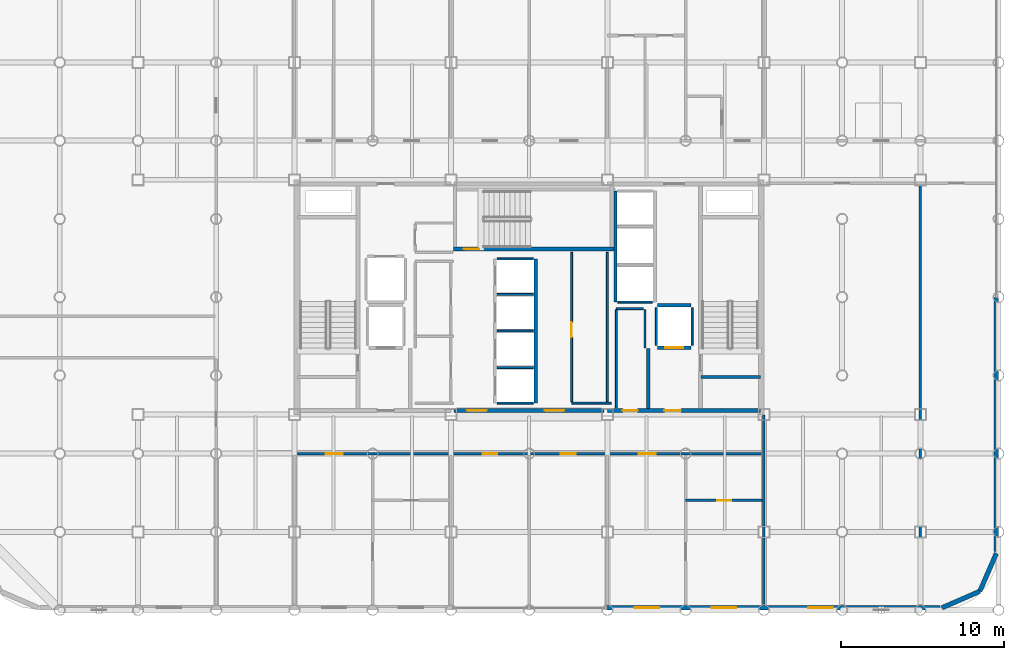
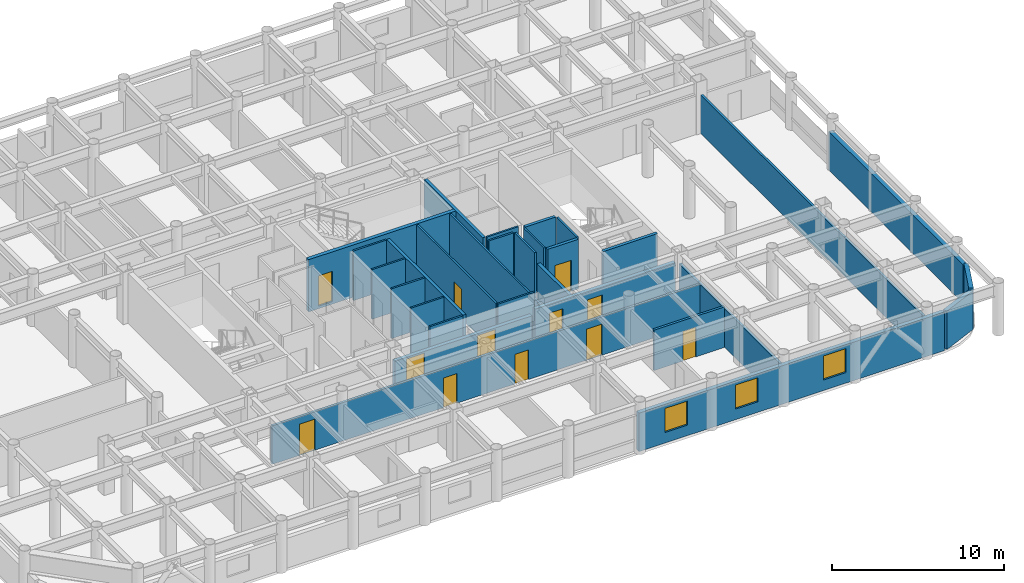
# One storey, part 17 of 21: 31 walls, 12 doors, 3 windows, 15 openings.
"""IFC4 building model written with IfcOpenShell, lengths in metres."""

import ifcopenshell
import ifcopenshell.guid

model = None  # the IFC model being written
_history = None  # IfcOwnerHistory: only IFC2X3 demands one
_inside = {}  # id of a spatial element -> (the spatial element, [elements in it])
_under = {}  # id of a project, library or spatial element -> (it, [spatial elements below it])
_declared = {}  # id of a project -> (the project, [libraries it declares])
_typed = {}  # id of a type object -> (the type object, [elements of that type])
_made_of = {}  # id of a material, layer set ... -> (it, [elements and type objects made of it])


def new_model(schema):
    """Start an empty IFC model of exactly this schema.

    Asked for "IFC4X3", IfcOpenShell would pick the latest addendum, in which some entities
    have other attributes; the version numbers below select the first issue.
    IFC2X3 requires an IfcOwnerHistory on every rooted entity: one is made here for all.
    """
    global model, _history
    if schema == "IFC4X3":
        model = ifcopenshell.file(schema_version=(4, 3, 0, 0))
    else:
        model = ifcopenshell.file(schema=schema)
    _inside.clear()
    _under.clear()
    _declared.clear()
    _typed.clear()
    _made_of.clear()
    _history = None
    if model.schema == "IFC2X3":
        org = make("IfcOrganization", Name="unknown")
        user = make(
            "IfcPersonAndOrganization",
            ThePerson=make("IfcPerson", FamilyName="unknown"),
            TheOrganization=org,
        )
        app = make(
            "IfcApplication",
            ApplicationDeveloper=org,
            Version="unknown",
            ApplicationFullName="unknown",
            ApplicationIdentifier="unknown",
        )
        _history = make(
            "IfcOwnerHistory",
            OwningUser=user,
            OwningApplication=app,
            ChangeAction="ADDED",
            CreationDate=0,
        )
    return model


def make(cls, **values):
    """One entity of the class cls with the attributes given. An attribute that is None is left unset."""
    return model.create_entity(
        cls, **{name: value for name, value in values.items() if value is not None}
    )


def rooted(cls, **values):
    """An entity with a GlobalId (a new one), such as an element, a storey or a relation."""
    return make(cls, GlobalId=ifcopenshell.guid.new(), OwnerHistory=_history, **values)


def si_unit(unit_type, name, prefix=None):
    """IfcSIUnit, for example si_unit("LENGTHUNIT", "METRE", prefix="MILLI")."""
    return make("IfcSIUnit", UnitType=unit_type, Prefix=prefix, Name=name)


def assignment(units):
    """IfcUnitAssignment: the units of a project."""
    return None if units is None else make("IfcUnitAssignment", Units=units)


def point(xyz):
    """IfcCartesianPoint."""
    return None if xyz is None else make("IfcCartesianPoint", Coordinates=xyz)


def direction(xyz):
    """IfcDirection."""
    return None if xyz is None else make("IfcDirection", DirectionRatios=xyz)


def frame(location, z_axis=None, x_axis=None):
    """IfcAxis2Placement3D, a coordinate frame: its origin and axes. An axis left out is left unset."""
    return make(
        "IfcAxis2Placement3D",
        Location=point(location),
        Axis=direction(z_axis),
        RefDirection=direction(x_axis),
    )


def frame_2d(location, x_axis=None):
    """IfcAxis2Placement2D, a coordinate frame in the plane: its origin and x axis."""
    return make(
        "IfcAxis2Placement2D", Location=point(location), RefDirection=direction(x_axis)
    )


def origin():
    """The frame at (0, 0, 0) with its axes left unset."""
    return frame((0.0, 0.0, 0.0))


def place(relative_to, where):
    """IfcLocalPlacement: puts the frame where relative to a parent placement (None: the world)."""
    return make(
        "IfcLocalPlacement", PlacementRelTo=relative_to, RelativePlacement=where
    )


def context(
    kind, dimensions, precision=None, world=None, true_north=None, identifier=None
):
    """IfcGeometricRepresentationContext, for example the 3D "Model" context."""
    return make(
        "IfcGeometricRepresentationContext",
        ContextIdentifier=identifier,
        ContextType=kind,
        CoordinateSpaceDimension=dimensions,
        Precision=precision,
        WorldCoordinateSystem=world,
        TrueNorth=true_north,
    )


def subcontext(parent, identifier, kind, view, scale=None):
    """IfcGeometricRepresentationSubContext, for example "Body" below "Model"."""
    return make(
        "IfcGeometricRepresentationSubContext",
        ContextIdentifier=identifier,
        ContextType=kind,
        ParentContext=parent,
        TargetScale=scale,
        TargetView=view,
    )


def project(units=None, contexts=None):
    """IfcProject with its units and contexts."""
    return rooted(
        "IfcProject",
        Name="project",
        RepresentationContexts=contexts,
        UnitsInContext=assignment(units),
    )


def spatial(cls, under=None, at=None, **own):
    """A site, building, storey or space (cls), placed at a placement, below another one or the project."""
    s = rooted(cls, ObjectPlacement=at, **own)
    if under is not None:
        _under.setdefault(under.id(), (under, []))[1].append(s)
    return s


def profile(cls, at=None, kind="AREA", **sizes):
    """A parametric profile (cls). Its sizes go by their IFC names, for example OverallWidth=200.0."""
    return make(cls, ProfileType=kind, Position=at, **sizes)


def rectangle(**sizes):
    """IfcRectangleProfileDef."""
    return profile("IfcRectangleProfileDef", **sizes)


def extrude(swept, where, along, depth):
    """IfcExtrudedAreaSolid: the profile swept, set in the frame where, extruded along a direction by depth."""
    return make(
        "IfcExtrudedAreaSolid",
        SweptArea=swept,
        Position=where,
        ExtrudedDirection=direction(along),
        Depth=depth,
    )


def shape(context_of_items, identifier, shape_type, items):
    """IfcShapeRepresentation: the items that make up one representation, for example the "Body"."""
    return make(
        "IfcShapeRepresentation",
        ContextOfItems=context_of_items,
        RepresentationIdentifier=identifier,
        RepresentationType=shape_type,
        Items=items,
    )


def material(Name=None, Category=None):
    """IfcMaterial."""
    return make("IfcMaterial", Name=Name, Category=Category)


def layer(
    of_material, thickness, ventilated=None, Name=None, Category=None, Priority=None
):
    """IfcMaterialLayer: one layer of a wall or slab, of a material (None: an air gap)."""
    return make(
        "IfcMaterialLayer",
        Material=of_material,
        LayerThickness=thickness,
        IsVentilated=ventilated,
        Name=Name,
        Category=Category,
        Priority=Priority,
    )


def layer_set(layers, Name=None):
    """IfcMaterialLayerSet."""
    return make("IfcMaterialLayerSet", MaterialLayers=layers, LayerSetName=Name)


def made_of(thing, what):
    """Note that an element or type object is made of a material, layer set ...; save() writes the relation."""
    if what is not None:
        _made_of.setdefault(what.id(), (what, []))[1].append(thing)
    return thing


def type_object(cls, material=None, **own):
    """A type object (cls), such as IfcWallType, which elements share."""
    return made_of(rooted(cls, **own), material)


def element(
    cls,
    number,
    at=None,
    inside=None,
    cuts=None,
    type_object=None,
    material=None,
    context=None,
    identifier="Body",
    shape_type=None,
    held_by="IfcProductDefinitionShape",
    body=None,
    shapes=None,
    **own,
):
    """One element of the class cls, such as IfcWall. Its Tag is "e" and its number.

    at: its placement. inside: the storey or other place that contains it. cuts: it is an
    opening in that element (IfcRelVoidsElement). A single representation is given by context,
    identifier, shape_type and body (its items); several are given by shapes. held_by: the class
    of the entity that holds the representations. save() writes the other relations.
    """
    e = rooted(cls, Tag="e%d" % number, ObjectPlacement=at, **own)
    if body is not None:
        shapes = [shape(context, identifier, shape_type, body)]
    if shapes is not None:
        e.Representation = make(held_by, Representations=shapes)
    if inside is not None:
        _inside.setdefault(inside.id(), (inside, []))[1].append(e)
    if cuts is not None:
        rooted(
            "IfcRelVoidsElement", RelatingBuildingElement=cuts, RelatedOpeningElement=e
        )
    if type_object is not None:
        _typed.setdefault(type_object.id(), (type_object, []))[1].append(e)
    return made_of(e, material)


def fill(opening, filler):
    """IfcRelFillsElement: the door or window that sits in an opening."""
    return rooted(
        "IfcRelFillsElement",
        RelatingOpeningElement=opening,
        RelatedBuildingElement=filler,
    )


def aggregate(whole, parts):
    """IfcRelAggregates: a whole, such as a stair, and the parts it consists of."""
    return rooted("IfcRelAggregates", RelatingObject=whole, RelatedObjects=parts)


def save(model, path):
    """Write the relations noted so far, then the file.

    IfcRelAggregates (storeys below a building ...), IfcRelContainedInSpatialStructure (elements
    in a storey), IfcRelDefinesByType, IfcRelAssociatesMaterial and IfcRelDeclares: one each for
    every whole, place, type object, material and project.
    """
    for whole, parts in _under.values():
        aggregate(whole, parts)
    for where, things in _inside.values():
        rooted(
            "IfcRelContainedInSpatialStructure",
            RelatedElements=things,
            RelatingStructure=where,
        )
    for kind, things in _typed.values():
        rooted("IfcRelDefinesByType", RelatedObjects=things, RelatingType=kind)
    for what, things in _made_of.values():
        rooted("IfcRelAssociatesMaterial", RelatedObjects=things, RelatingMaterial=what)
    for by, libraries in _declared.values():
        rooted("IfcRelDeclares", RelatingContext=by, RelatedDefinitions=libraries)
    model.write(path)


model = new_model("IFC4")

# Units and contexts
model_context = context("Model", 3, precision=1e-05, world=origin(), true_north=direction((0.0, 1.0)))
body_context = subcontext(model_context, "Body", "Model", "MODEL_VIEW")
ifc_project = project(units=[si_unit("LENGTHUNIT", "METRE"), si_unit("AREAUNIT", "SQUARE_METRE"), si_unit("VOLUMEUNIT", "CUBIC_METRE"), si_unit("PLANEANGLEUNIT", "RADIAN"), si_unit("MASSUNIT", "GRAM", prefix="KILO")], contexts=[model_context])

# Site, building, storey
site_placement = place(None, origin())
site = spatial("IfcSite", under=ifc_project, at=site_placement, CompositionType="ELEMENT")
building_placement = place(site_placement, origin())
building = spatial("IfcBuilding", under=site, at=building_placement, Name="Kallvorn Hotel Tower", CompositionType="ELEMENT")
storey_placement = place(building_placement, frame((0.0, 0.0, 139.60009765625)))
storey = spatial("IfcBuildingStorey", under=building, at=storey_placement, Name="L34", CompositionType="ELEMENT", Elevation=139.60009765625)

# Wall, opening, door
ifc_material_1 = material(Name="Fire-rated double-layer acoustic gypsum drywall EI 60")
ifc_layer_1 = layer(ifc_material_1, 0.159912109375)
ifc_layer_set_1 = layer_set([ifc_layer_1], Name="WL_DEMISE_160")
wall_type_1 = type_object("IfcWallType", Name="WL_DEMISE_160", PredefinedType="PARTITIONING", material=ifc_layer_set_1)
wall_1_placement = place(storey_placement, frame((9.60009765625, -12.469970703125, 0.0), z_axis=(0.0, 0.0, 1.0), x_axis=(1.0, 0.0, 0.0)))
wall_1 = element("IfcWall", 1, at=wall_1_placement, inside=storey, type_object=wall_type_1, Name="L34 Suite 3402 Executive Bedroom Partition", PredefinedType="PARTITIONING", context=body_context, shape_type="SweptSolid", body=[
    extrude(rectangle(XDim=4.719970703125, YDim=0.159912109375, at=frame_2d((2.35986328125, 0.0))), origin(), (0.0, 0.0, 1.0), 2.869873046875),
])
opening_1_placement = place(wall_1_placement, frame((1.929931640625, 0.0, 0.0)))
opening_1 = element("IfcOpeningElement", 2, at=opening_1_placement, cuts=wall_1, Name="Opening BD-I", PredefinedType="OPENING", context=body_context, shape_type="SweptSolid", body=[
    extrude(rectangle(XDim=0.860107421875, YDim=2.10009765625, at=frame_2d((0.43017578125, 1.050048828125))), frame((0.0, 0.094970703125, 0.0), z_axis=(0.0, -1.0, 0.0), x_axis=(1.0, 0.0, 0.0)), (0.0, 0.0, 1.0), 0.18994140625),
])
ifc_material_2 = material(Name="Solid-core walnut veneer fire-rated timber door leaf", Category="wood")
door_type_1 = type_object("IfcDoorType", Name="DR_BATH_860x2100", OperationType="NOTDEFINED", PredefinedType="DOOR", material=ifc_material_2)
door_1_placement = place(opening_1_placement, origin())
door_1 = element("IfcDoor", 3, at=door_1_placement, inside=storey, type_object=door_type_1, Name="L34 Suite 3402 En-Suite Bathroom Door", OperationType="SINGLE_SWING_LEFT", OverallHeight=2.10009765625, OverallWidth=0.860107421875, PredefinedType="DOOR", context=body_context, shape_type="SweptSolid", body=[
    extrude(rectangle(XDim=0.860107421875, YDim=2.10009765625, at=frame_2d((0.43017578125, 1.050048828125))), frame((0.0, 0.02490234375, 0.0), z_axis=(0.0, -1.0, 0.0), x_axis=(1.0, 0.0, 0.0)), (0.0, 0.0, 1.0), 0.050048828125),
])
fill(opening_1, door_1)

# Wall, openings, doors
wall_2_placement = place(storey_placement, frame((-14.320068359375, -9.60009765625, 0.0), z_axis=(0.0, 0.0, 1.0), x_axis=(1.0, 0.0, 0.0)))
wall_2 = element("IfcWall", 4, at=wall_2_placement, inside=storey, type_object=wall_type_1, Name="L34 Suite 3401 Executive Living Salon Partition", PredefinedType="PARTITIONING", context=body_context, shape_type="SweptSolid", body=[
    extrude(rectangle(XDim=28.64013671875, YDim=0.159912109375, at=frame_2d((14.320068359375, 0.0))), origin(), (0.0, 0.0, 1.0), 2.719970703125),
])
opening_2_placement = place(wall_2_placement, frame((1.8349609375, 0.0, 0.0)))
opening_2 = element("IfcOpeningElement", 5, at=opening_2_placement, cuts=wall_2, Name="Opening GD2", PredefinedType="OPENING", context=body_context, shape_type="SweptSolid", body=[
    extrude(rectangle(XDim=1.050048828125, YDim=2.199951171875, at=frame_2d((0.52490234375, 1.10009765625))), frame((0.0, 0.094970703125, 0.0), z_axis=(0.0, -1.0, 0.0), x_axis=(1.0, 0.0, 0.0)), (0.0, 0.0, 1.0), 0.18994140625),
])
opening_3_placement = place(wall_2_placement, frame((11.469970703125, 0.0, 0.0)))
opening_3 = element("IfcOpeningElement", 6, at=opening_3_placement, cuts=wall_2, Name="Opening SVD1", PredefinedType="OPENING", context=body_context, shape_type="SweptSolid", body=[
    extrude(rectangle(XDim=0.89990234375, YDim=2.10009765625, at=frame_2d((0.449951171875, 1.050048828125))), frame((0.0, 0.094970703125, 0.0), z_axis=(0.0, -1.0, 0.0), x_axis=(1.0, 0.0, 0.0)), (0.0, 0.0, 1.0), 0.18994140625),
])
opening_4_placement = place(wall_2_placement, frame((16.27001953125, 0.0, 0.0)))
opening_4 = element("IfcOpeningElement", 7, at=opening_4_placement, cuts=wall_2, Name="Opening SVD1", PredefinedType="OPENING", context=body_context, shape_type="SweptSolid", body=[
    extrude(rectangle(XDim=0.89990234375, YDim=2.10009765625, at=frame_2d((0.449951171875, 1.050048828125))), frame((0.0, 0.094970703125, 0.0), z_axis=(0.0, -1.0, 0.0), x_axis=(1.0, 0.0, 0.0)), (0.0, 0.0, 1.0), 0.18994140625),
])
opening_5_placement = place(wall_2_placement, frame((21.034912109375, 0.0, 0.0)))
opening_5 = element("IfcOpeningElement", 8, at=opening_5_placement, cuts=wall_2, Name="Opening GD2", PredefinedType="OPENING", context=body_context, shape_type="SweptSolid", body=[
    extrude(rectangle(XDim=1.050048828125, YDim=2.199951171875, at=frame_2d((0.52490234375, 1.10009765625))), frame((0.0, 0.094970703125, 0.0), z_axis=(0.0, -1.0, 0.0), x_axis=(1.0, 0.0, 0.0)), (0.0, 0.0, 1.0), 0.18994140625),
])
ifc_material_3 = material(Name="Galvanised painted steel fire-rated door assembly", Category="steel")
door_type_2 = type_object("IfcDoorType", Name="DR_SERV_900x2100", OperationType="NOTDEFINED", PredefinedType="DOOR", material=ifc_material_3)
door_2_placement = place(opening_3_placement, origin())
door_2 = element("IfcDoor", 9, at=door_2_placement, inside=storey, type_object=door_type_2, Name="L34 L34 Executive Co-Working Open-Plan Office 2-1 Door", OperationType="SINGLE_SWING_RIGHT", OverallHeight=2.10009765625, OverallWidth=0.89990234375, PredefinedType="DOOR", context=body_context, shape_type="SweptSolid", body=[
    extrude(rectangle(XDim=0.89990234375, YDim=2.10009765625, at=frame_2d((0.449951171875, 1.050048828125))), frame((0.0, 0.02490234375, 0.0), z_axis=(0.0, -1.0, 0.0), x_axis=(1.0, 0.0, 0.0)), (0.0, 0.0, 1.0), 0.050048828125),
])
fill(opening_3, door_2)
door_3_placement = place(opening_4_placement, origin())
door_3 = element("IfcDoor", 10, at=door_3_placement, inside=storey, type_object=door_type_2, Name="L34 L34 Executive Co-Working Open-Plan Office 2-2 Door", OperationType="SINGLE_SWING_LEFT", OverallHeight=2.10009765625, OverallWidth=0.89990234375, PredefinedType="DOOR", context=body_context, shape_type="SweptSolid", body=[
    extrude(rectangle(XDim=0.89990234375, YDim=2.10009765625, at=frame_2d((0.449951171875, 1.050048828125))), frame((0.0, 0.02490234375, 0.0), z_axis=(0.0, -1.0, 0.0), x_axis=(1.0, 0.0, 0.0)), (0.0, 0.0, 1.0), 0.050048828125),
])
fill(opening_4, door_3)
ifc_material_4 = material(Name="Solid-core walnut veneer fire-rated timber door leaf", Category="wood")
door_type_3 = type_object("IfcDoorType", Name="DR_SUITE_1050x2200", OperationType="NOTDEFINED", PredefinedType="DOOR", material=ifc_material_4)
door_4_placement = place(opening_2_placement, origin())
door_4 = element("IfcDoor", 11, at=door_4_placement, inside=storey, type_object=door_type_3, Name="L34 Suite 3401 Executive Living Salon Door", OperationType="SINGLE_SWING_LEFT", OverallHeight=2.199951171875, OverallWidth=1.050048828125, PredefinedType="DOOR", context=body_context, shape_type="SweptSolid", body=[
    extrude(rectangle(XDim=1.050048828125, YDim=2.199951171875, at=frame_2d((0.52490234375, 1.10009765625))), frame((0.0, 0.02490234375, 0.0), z_axis=(0.0, -1.0, 0.0), x_axis=(1.0, 0.0, 0.0)), (0.0, 0.0, 1.0), 0.050048828125),
])
fill(opening_2, door_4)
door_5_placement = place(opening_5_placement, origin())
door_5 = element("IfcDoor", 12, at=door_5_placement, inside=storey, type_object=door_type_3, Name="L34 Suite 3402 Executive Living Salon Door", OperationType="SINGLE_SWING_RIGHT", OverallHeight=2.199951171875, OverallWidth=1.050048828125, PredefinedType="DOOR", context=body_context, shape_type="SweptSolid", body=[
    extrude(rectangle(XDim=1.050048828125, YDim=2.199951171875, at=frame_2d((0.52490234375, 1.10009765625))), frame((0.0, 0.02490234375, 0.0), z_axis=(0.0, -1.0, 0.0), x_axis=(1.0, 0.0, 0.0)), (0.0, 0.0, 1.0), 0.050048828125),
])
fill(opening_5, door_5)

# Walls
wall_3_placement = place(storey_placement, frame((14.39990234375, -18.909912109375, 0.0), z_axis=(0.0, 0.0, 1.0), x_axis=(0.0, 1.0, 0.0)))
element("IfcWall", 13, at=wall_3_placement, inside=storey, type_object=wall_type_1, Name="L34 Suite 3402 Executive Bedroom Partition", PredefinedType="PARTITIONING", context=body_context, shape_type="SweptSolid", body=[
    extrude(rectangle(XDim=11.669921875, YDim=0.159912109375, at=frame_2d((5.8349609375, 0.0))), origin(), (0.0, 0.0, 1.0), 2.719970703125),
])
ifc_material_5 = material(Name="Precast basalt-clad insulated concrete wall C40/50", Category="masonry")
ifc_layer_2 = layer(ifc_material_5, 0.280029296875)
ifc_layer_set_2 = layer_set([ifc_layer_2], Name="WL_EXT_LOGGIA_280")
wall_type_2 = type_object("IfcWallType", Name="WL_EXT_LOGGIA_280", PredefinedType="SOLIDWALL", material=ifc_layer_set_2)
wall_4_placement = place(storey_placement, frame((25.32080078125, -19.057861328125, 0.0), z_axis=(0.0, 0.0, 1.0), x_axis=(0.917060872934, 0.398747232384, 0.0)))
element("IfcWall", 14, at=wall_4_placement, inside=storey, type_object=wall_type_2, Name="L34 Rounded Corner Exterior Wall SE1", PredefinedType="SOLIDWALL", context=body_context, shape_type="SweptSolid", body=[
    extrude(rectangle(XDim=2.5361328125, YDim=0.280029296875, at=frame_2d((1.26806640625, 0.0))), origin(), (0.0, 0.0, 1.0), 2.719970703125),
])
wall_5_placement = place(storey_placement, frame((27.646484375, -18.046630859375, 0.0), z_axis=(0.0, 0.0, 1.0), x_axis=(0.398792985289, 0.917040977756, 0.0)))
element("IfcWall", 15, at=wall_5_placement, inside=storey, type_object=wall_type_2, Name="L34 Rounded Corner Exterior Wall SE2", PredefinedType="SOLIDWALL", context=body_context, shape_type="SweptSolid", body=[
    extrude(rectangle(XDim=2.536376953125, YDim=0.280029296875, at=frame_2d((1.26806640625, 0.0))), origin(), (0.0, 0.0, 1.0), 2.869873046875),
])

# Wall, openings, windows
wall_6_placement = place(storey_placement, frame((4.75, -19.06005859375, 0.0), z_axis=(0.0, 0.0, 1.0), x_axis=(1.0, 0.0, 0.0)))
wall_6 = element("IfcWall", 16, at=wall_6_placement, inside=storey, type_object=wall_type_2, Name="L34 Exterior Envelope Wall EW-L34-SE", PredefinedType="SOLIDWALL", context=body_context, shape_type="SweptSolid", body=[
    extrude(rectangle(XDim=20.449951171875, YDim=0.280029296875, at=frame_2d((10.22509765625, 0.0))), origin(), (0.0, 0.0, 1.0), 2.719970703125),
])
opening_6_placement = place(wall_6_placement, frame((12.360107421875, 0.0, 0.75)))
opening_6 = element("IfcOpeningElement", 17, at=opening_6_placement, cuts=wall_6, Name="Opening W05", PredefinedType="OPENING", context=body_context, shape_type="SweptSolid", body=[
    extrude(rectangle(XDim=1.5, YDim=1.699951171875, at=frame_2d((0.75, 0.85009765625))), frame((0.0, 0.155029296875, 0.0), z_axis=(0.0, -1.0, 0.0), x_axis=(1.0, 0.0, 0.0)), (0.0, 0.0, 1.0), 0.31005859375),
])
opening_7_placement = place(wall_6_placement, frame((1.739990234375, 0.0, 0.75)))
opening_7 = element("IfcOpeningElement", 18, at=opening_7_placement, cuts=wall_6, Name="Opening W05", PredefinedType="OPENING", context=body_context, shape_type="SweptSolid", body=[
    extrude(rectangle(XDim=1.5, YDim=1.699951171875, at=frame_2d((0.75, 0.85009765625))), frame((0.0, 0.155029296875, 0.0), z_axis=(0.0, -1.0, 0.0), x_axis=(1.0, 0.0, 0.0)), (0.0, 0.0, 1.0), 0.31005859375),
])
opening_8_placement = place(wall_6_placement, frame((6.4599609375, 0.0, 0.75)))
opening_8 = element("IfcOpeningElement", 19, at=opening_8_placement, cuts=wall_6, Name="Opening W05", PredefinedType="OPENING", context=body_context, shape_type="SweptSolid", body=[
    extrude(rectangle(XDim=1.5, YDim=1.699951171875, at=frame_2d((0.75, 0.85009765625))), frame((0.0, 0.155029296875, 0.0), z_axis=(0.0, -1.0, 0.0), x_axis=(1.0, 0.0, 0.0)), (0.0, 0.0, 1.0), 0.31005859375),
])
ifc_material_6 = material(Name="Double-glazed low-e solar-control dark glass", Category="glass")
window_type = type_object("IfcWindowType", Name="WN_HTL_1500x1700", PartitioningType="SINGLE_PANEL", PredefinedType="WINDOW", material=ifc_material_6)
window_1_placement = place(opening_6_placement, origin())
window_1 = element("IfcWindow", 20, at=window_1_placement, inside=storey, type_object=window_type, Name="L34 Guestroom Exterior Window 04", OverallHeight=1.699951171875, OverallWidth=1.5, PartitioningType="SINGLE_PANEL", PredefinedType="WINDOW", context=body_context, shape_type="SweptSolid", body=[
    extrude(rectangle(XDim=1.5, YDim=1.699951171875, at=frame_2d((0.75, 0.85009765625))), frame((0.0, 0.030029296875, 0.0), z_axis=(0.0, -1.0, 0.0), x_axis=(1.0, 0.0, 0.0)), (0.0, 0.0, 1.0), 0.06005859375),
])
fill(opening_6, window_1)
window_2_placement = place(opening_7_placement, origin())
window_2 = element("IfcWindow", 21, at=window_2_placement, inside=storey, type_object=window_type, Name="L34 Guestroom Exterior Window 07", OverallHeight=1.699951171875, OverallWidth=1.5, PartitioningType="SINGLE_PANEL", PredefinedType="WINDOW", context=body_context, shape_type="SweptSolid", body=[
    extrude(rectangle(XDim=1.5, YDim=1.699951171875, at=frame_2d((0.75, 0.85009765625))), frame((0.0, 0.030029296875, 0.0), z_axis=(0.0, -1.0, 0.0), x_axis=(1.0, 0.0, 0.0)), (0.0, 0.0, 1.0), 0.06005859375),
])
fill(opening_7, window_2)
window_3_placement = place(opening_8_placement, origin())
window_3 = element("IfcWindow", 22, at=window_3_placement, inside=storey, type_object=window_type, Name="L34 Guestroom Exterior Window 08", OverallHeight=1.699951171875, OverallWidth=1.5, PartitioningType="SINGLE_PANEL", PredefinedType="WINDOW", context=body_context, shape_type="SweptSolid", body=[
    extrude(rectangle(XDim=1.5, YDim=1.699951171875, at=frame_2d((0.75, 0.85009765625))), frame((0.0, 0.030029296875, 0.0), z_axis=(0.0, -1.0, 0.0), x_axis=(1.0, 0.0, 0.0)), (0.0, 0.0, 1.0), 0.06005859375),
])
fill(opening_8, window_3)

# Walls
wall_7_placement = place(storey_placement, frame((28.659912109375, -15.60009765625, 0.0), z_axis=(0.0, 0.0, 1.0), x_axis=(0.0, 1.0, 0.0)))
element("IfcWall", 23, at=wall_7_placement, inside=storey, type_object=wall_type_2, Name="L34 Exterior Envelope Wall EW-L34-ES", PredefinedType="SOLIDWALL", context=body_context, shape_type="SweptSolid", body=[
    extrude(rectangle(XDim=15.580078125, YDim=0.280029296875, at=frame_2d((7.7900390625, 0.0))), origin(), (0.0, 0.0, 1.0), 2.719970703125),
])
ifc_material_7 = material(Name="Concrete C40/50", Category="concrete")
ifc_layer_3 = layer(ifc_material_7, 0.219970703125)
ifc_layer_set_3 = layer_set([ifc_layer_3], Name="WL_FFL_220")
wall_type_3 = type_object("IfcWallType", Name="WL_FFL_220", PredefinedType="SOLIDWALL", material=ifc_layer_set_3)
wall_8_placement = place(storey_placement, frame((7.300048828125, -6.820068359375, 0.0), z_axis=(0.0, 0.0, 1.0), x_axis=(0.0, 1.0, 0.0)))
element("IfcWall", 24, at=wall_8_placement, inside=storey, type_object=wall_type_3, Name="L34 Firefighting Lobby East Divider Wall", PredefinedType="SOLIDWALL", context=body_context, shape_type="SweptSolid", body=[
    extrude(rectangle(XDim=3.670166015625, YDim=0.219970703125, at=frame_2d((1.8349609375, 0.0))), origin(), (0.0, 0.0, 1.0), 2.719970703125),
])
ifc_material_8 = material(Name="Concrete C40/50", Category="concrete")
ifc_layer_4 = layer(ifc_material_8, 0.199951171875)
ifc_layer_set_4 = layer_set([ifc_layer_4], Name="WL_HOIST_200")
wall_type_4 = type_object("IfcWallType", Name="WL_HOIST_200", PredefinedType="SOLIDWALL", material=ifc_layer_set_4)
wall_9_placement = place(storey_placement, frame((10.550048828125, -4.89990234375, -0.18017578125), z_axis=(0.0, 0.0, 1.0), x_axis=(1.0, 0.0, 0.0)))
element("IfcWall", 25, at=wall_9_placement, inside=storey, type_object=wall_type_4, Name="L34 Stair ST2 South Wall", PredefinedType="SOLIDWALL", context=body_context, shape_type="SweptSolid", body=[
    extrude(rectangle(XDim=3.64990234375, YDim=0.199951171875, at=frame_2d((1.824951171875, 0.0))), origin(), (0.0, 0.0, 1.0), 3.7001953125),
])
wall_10_placement = place(storey_placement, frame((0.39990234375, -6.5, 0.0), z_axis=(0.0, 0.0, 1.0), x_axis=(0.0, 1.0, 0.0)))
element("IfcWall", 26, at=wall_10_placement, inside=storey, type_object=wall_type_4, Name="L34 Lift Bank B2 Rear Shaft Wall", PredefinedType="SOLIDWALL", context=body_context, shape_type="SweptSolid", body=[
    extrude(rectangle(XDim=8.85009765625, YDim=0.199951171875, at=frame_2d((4.425048828125, 0.0))), origin(), (0.0, 0.0, 1.0), 3.52001953125),
])
wall_11_placement = place(storey_placement, frame((5.300048828125, -0.300048828125, 0.0), z_axis=(0.0, 0.0, 1.0), x_axis=(0.0, 1.0, 0.0)))
element("IfcWall", 27, at=wall_11_placement, inside=storey, type_object=wall_type_4, Name="L34 Lift Bank OBS Rear Shaft Wall", PredefinedType="SOLIDWALL", context=body_context, shape_type="SweptSolid", body=[
    extrude(rectangle(XDim=6.800048828125, YDim=0.199951171875, at=frame_2d((3.39990234375, 0.0))), origin(), (0.0, 0.0, 1.0), 3.52001953125),
])

# Wall, opening, door
wall_12_placement = place(storey_placement, frame((7.8798828125, -3.10009765625, 0.0), z_axis=(0.0, 0.0, 1.0), x_axis=(1.0, 0.0, 0.0)))
wall_12 = element("IfcWall", 28, at=wall_12_placement, inside=storey, type_object=wall_type_4, Name="L34 FL-2 Landing Wall", PredefinedType="SOLIDWALL", context=body_context, shape_type="SweptSolid", body=[
    extrude(rectangle(XDim=2.0400390625, YDim=0.199951171875, at=frame_2d((1.02001953125, 0.0))), origin(), (0.0, 0.0, 1.0), 3.52001953125),
])
opening_9_placement = place(wall_12_placement, frame((0.469970703125, 0.0, 0.0)))
opening_9 = element("IfcOpeningElement", 29, at=opening_9_placement, cuts=wall_12, Name="Opening LD-FL-2", PredefinedType="OPENING", context=body_context, shape_type="SweptSolid", body=[
    extrude(rectangle(XDim=1.10009765625, YDim=2.199951171875, at=frame_2d((0.550048828125, 1.10009765625))), frame((0.0, 0.114990234375, 0.0), z_axis=(0.0, -1.0, 0.0), x_axis=(1.0, 0.0, 0.0)), (0.0, 0.0, 1.0), 0.22998046875),
])
ifc_material_9 = material(Name="Brushed stainless-steel automatic sliding lift landing door", Category="steel")
door_type_4 = type_object("IfcDoorType", Name="LD_PASS_1100x2200", OperationType="SLIDING_TO_LEFT", PredefinedType="DOOR", material=ifc_material_9)
door_6_placement = place(opening_9_placement, origin())
door_6 = element("IfcDoor", 30, at=door_6_placement, inside=storey, type_object=door_type_4, Name="L34 Lift Landing Sliding Door LD-FL-2", OperationType="SLIDING_TO_LEFT", OverallHeight=2.199951171875, OverallWidth=1.10009765625, PredefinedType="DOOR", context=body_context, shape_type="SweptSolid", body=[
    extrude(rectangle(XDim=1.10009765625, YDim=2.199951171875, at=frame_2d((0.550048828125, 1.10009765625))), frame((0.0, 0.02490234375, 0.0), z_axis=(0.0, -1.0, 0.0), x_axis=(1.0, 0.0, 0.0)), (0.0, 0.0, 1.0), 0.050048828125),
])
fill(opening_9, door_6)

# Walls
wall_13_placement = place(storey_placement, frame((7.8798828125, -0.5, 0.0), z_axis=(0.0, 0.0, 1.0), x_axis=(1.0, 0.0, 0.0)))
element("IfcWall", 31, at=wall_13_placement, inside=storey, type_object=wall_type_4, Name="L34 FL-2 Rear Shaft Wall", PredefinedType="SOLIDWALL", context=body_context, shape_type="SweptSolid", body=[
    extrude(rectangle(XDim=2.0400390625, YDim=0.199951171875, at=frame_2d((1.02001953125, 0.0))), origin(), (0.0, 0.0, 1.0), 3.52001953125),
])
ifc_material_10 = material(Name="Fire-rated double-layer acoustic gypsum drywall EI 60")
ifc_layer_5 = layer(ifc_material_10, 0.1201171875)
ifc_layer_set_5 = layer_set([ifc_layer_5], Name="WL_INT_120")
wall_type_5 = type_object("IfcWallType", Name="WL_INT_120", PredefinedType="PARTITIONING", material=ifc_layer_set_5)
for number, where, z_axis, x_axis, name in (
    (32, (-1.9599609375, -6.5, 0.0), (0.0, 0.0, 1.0), (1.0, 0.0, 0.0), "L34 Lift Bank B2 South Closure Wall"),
    (33, (-1.9599609375, -4.324951171875, 0.0), (0.0, 0.0, 1.0), (1.0, 0.0, 0.0), "L34 PL-05 Hoistway Divider"),
    (34, (-1.9599609375, -2.074951171875, 0.0), (0.0, 0.0, 1.0), (1.0, 0.0, 0.0), "L34 PL-06 Hoistway Divider"),
    (35, (-1.9599609375, 0.175048828125, 0.0), (0.0, 0.0, 1.0), (1.0, 0.0, 0.0), "L34 PL-07 Hoistway Divider"),
    (36, (-1.9599609375, 2.35009765625, 0.0), (0.0, 0.0, 1.0), (1.0, 0.0, 0.0), "L34 PL-08 Hoistway Divider"),
):
    element("IfcWall", number, at=place(storey_placement, frame(where, z_axis=z_axis, x_axis=x_axis)), inside=storey, type_object=wall_type_5, Name=name, PredefinedType="PARTITIONING", context=body_context, shape_type="SweptSolid", body=[
        extrude(rectangle(XDim=2.219970703125, YDim=0.1201171875, at=frame_2d((1.10986328125, 0.0))), origin(), (0.0, 0.0, 1.0), 3.52001953125),
    ])
wall_14_placement = place(storey_placement, frame((5.43994140625, -0.300048828125, 0.0), z_axis=(0.0, 0.0, 1.0), x_axis=(1.0, 0.0, 0.0)))
element("IfcWall", 37, at=wall_14_placement, inside=storey, type_object=wall_type_5, Name="L34 Lift Bank OBS South Closure Wall", PredefinedType="PARTITIONING", context=body_context, shape_type="SweptSolid", body=[
    extrude(rectangle(XDim=2.1201171875, YDim=0.1201171875, at=frame_2d((1.06005859375, 0.0))), origin(), (0.0, 0.0, 1.0), 3.52001953125),
])
for number, where, z_axis, x_axis, name in (
    (38, (7.800048828125, -2.9599609375, 0.0), (0.0, 0.0, 1.0), (0.0, 1.0, 0.0), "L34 FL-2 West Shaft Wall"),
    (39, (10.0, -2.9599609375, 0.0), (0.0, 0.0, 1.0), (0.0, 1.0, 0.0), "L34 FL-2 East Shaft Wall"),
):
    element("IfcWall", number, at=place(storey_placement, frame(where, z_axis=z_axis, x_axis=x_axis)), inside=storey, type_object=wall_type_5, Name=name, PredefinedType="PARTITIONING", context=body_context, shape_type="SweptSolid", body=[
        extrude(rectangle(XDim=2.320068359375, YDim=0.1201171875, at=frame_2d((1.16015625, 0.0))), origin(), (0.0, 0.0, 1.0), 3.52001953125),
    ])
wall_15_placement = place(storey_placement, frame((2.60009765625, -6.5, 0.0), z_axis=(0.0, 0.0, 1.0), x_axis=(1.0, 0.0, 0.0)))
element("IfcWall", 40, at=wall_15_placement, inside=storey, type_object=wall_type_5, Name="L34 East Core Consolidated Linen and Supply Store Partition", PredefinedType="PARTITIONING", context=body_context, shape_type="SweptSolid", body=[
    extrude(rectangle(XDim=2.449951171875, YDim=0.1201171875, at=frame_2d((1.22509765625, 0.0))), origin(), (0.0, 0.0, 1.0), 3.52001953125),
])
wall_16_placement = place(storey_placement, frame((5.35009765625, -0.699951171875, 0.0), z_axis=(0.0, 0.0, 1.0), x_axis=(1.0, 0.0, 0.0)))
element("IfcWall", 41, at=wall_16_placement, inside=storey, type_object=wall_type_5, Name="L34 Core Utility and Meter Room Partition", PredefinedType="PARTITIONING", context=body_context, shape_type="SweptSolid", body=[
    extrude(rectangle(XDim=1.64990234375, YDim=0.1201171875, at=frame_2d((0.824951171875, 0.0))), origin(), (0.0, 0.0, 1.0), 3.52001953125),
])

# Wall, opening, door
wall_17_placement = place(storey_placement, frame((2.60009765625, -6.4150390625, 0.0), z_axis=(0.0, 0.0, 1.0), x_axis=(0.0, 1.0, 0.0)))
wall_17 = element("IfcWall", 42, at=wall_17_placement, inside=storey, type_object=wall_type_5, Name="L34 East Core Consolidated Linen and Supply Store Partition", PredefinedType="PARTITIONING", context=body_context, shape_type="SweptSolid", body=[
    extrude(rectangle(XDim=9.1650390625, YDim=0.1201171875, at=frame_2d((4.58251953125, 0.0))), origin(), (0.0, 0.0, 1.0), 3.52001953125),
])
opening_10_placement = place(wall_17_placement, frame((3.965087890625, 0.0, 0.0)))
opening_10 = element("IfcOpeningElement", 43, at=opening_10_placement, cuts=wall_17, Name="Opening SVD1", PredefinedType="OPENING", context=body_context, shape_type="SweptSolid", body=[
    extrude(rectangle(XDim=0.89990234375, YDim=2.10009765625, at=frame_2d((0.449951171875, 1.050048828125))), frame((0.0, 0.074951171875, 0.0), z_axis=(0.0, -1.0, 0.0), x_axis=(1.0, 0.0, 0.0)), (0.0, 0.0, 1.0), 0.150146484375),
])
door_7_placement = place(opening_10_placement, origin())
door_7 = element("IfcDoor", 44, at=door_7_placement, inside=storey, type_object=door_type_2, Name="L34 East Core Consolidated Linen and Supply Store Door", OperationType="SINGLE_SWING_RIGHT", OverallHeight=2.10009765625, OverallWidth=0.89990234375, PredefinedType="DOOR", context=body_context, shape_type="SweptSolid", body=[
    extrude(rectangle(XDim=0.89990234375, YDim=2.10009765625, at=frame_2d((0.449951171875, 1.050048828125))), frame((0.0, 0.02490234375, 0.0), z_axis=(0.0, -1.0, 0.0), x_axis=(1.0, 0.0, 0.0)), (0.0, 0.0, 1.0), 0.050048828125),
])
fill(opening_10, door_7)

# Walls
wall_18_placement = place(storey_placement, frame((4.800048828125, -6.4150390625, 0.0), z_axis=(0.0, 0.0, 1.0), x_axis=(0.0, 1.0, 0.0)))
element("IfcWall", 45, at=wall_18_placement, inside=storey, type_object=wall_type_5, Name="L34 East Core Consolidated Linen and Supply Store Partition", PredefinedType="PARTITIONING", context=body_context, shape_type="SweptSolid", body=[
    extrude(rectangle(XDim=9.1650390625, YDim=0.1201171875, at=frame_2d((4.58251953125, 0.0))), origin(), (0.0, 0.0, 1.0), 3.52001953125),
])
wall_19_placement = place(storey_placement, frame((5.35009765625, -6.800048828125, 0.0), z_axis=(0.0, 0.0, 1.0), x_axis=(0.0, 1.0, 0.0)))
element("IfcWall", 46, at=wall_19_placement, inside=storey, type_object=wall_type_5, Name="L34 Core Utility and Meter Room Partition", PredefinedType="PARTITIONING", context=body_context, shape_type="SweptSolid", body=[
    extrude(rectangle(XDim=6.01513671875, YDim=0.1201171875, at=frame_2d((3.007568359375, 0.0))), origin(), (0.0, 0.0, 1.0), 2.719970703125),
])
wall_20_placement = place(storey_placement, frame((7.106689453125, -3.110107421875, 0.0), z_axis=(0.0, 0.0, 1.0), x_axis=(0.0, 1.0, 0.0)))
element("IfcWall", 47, at=wall_20_placement, inside=storey, type_object=wall_type_5, Name="L34 Core Utility and Meter Room Partition", PredefinedType="PARTITIONING", context=body_context, shape_type="SweptSolid", body=[
    extrude(rectangle(XDim=2.3251953125, YDim=0.1201171875, at=frame_2d((1.16259765625, 0.0))), origin(), (0.0, 0.0, 1.0), 3.52001953125),
])
ifc_material_11 = material(Name="Fire-rated double-layer acoustic gypsum drywall EI 60")
ifc_layer_6 = layer(ifc_material_11, 0.14990234375)
ifc_layer_set_6 = layer_set([ifc_layer_6], Name="WL_PART_150")
wall_type_6 = type_object("IfcWallType", Name="WL_PART_150", PredefinedType="PARTITIONING", material=ifc_layer_set_6)
wall_21_placement = place(storey_placement, frame((24.0, -18.909912109375, 0.0), z_axis=(0.0, 0.0, 1.0), x_axis=(0.0, 1.0, 0.0)))
element("IfcWall", 48, at=wall_21_placement, inside=storey, type_object=wall_type_6, Name="L34 L34 Far-East Design Boutique Partition", PredefinedType="PARTITIONING", context=body_context, shape_type="SweptSolid", body=[
    extrude(rectangle(XDim=25.804931640625, YDim=0.14990234375, at=frame_2d((12.90234375, 0.0))), origin(), (0.0, 0.0, 1.0), 2.719970703125),
])

# Wall, openings, doors
ifc_material_12 = material(Name="Concrete C40/50", Category="concrete")
ifc_layer_7 = layer(ifc_material_12, 0.25)
ifc_layer_set_7 = layer_set([ifc_layer_7], Name="WL_SHAFT_250")
wall_type_7 = type_object("IfcWallType", Name="WL_SHAFT_250", PredefinedType="SOLIDWALL", material=ifc_layer_set_7)
wall_22_placement = place(storey_placement, frame((-4.60009765625, -6.949951171875, 0.0), z_axis=(0.0, 0.0, 1.0), x_axis=(1.0, 0.0, 0.0)))
wall_22 = element("IfcWall", 49, at=wall_22_placement, inside=storey, type_object=wall_type_7, Name="L34 Core South-Central Wall", PredefinedType="SOLIDWALL", context=body_context, shape_type="SweptSolid", body=[
    extrude(rectangle(XDim=9.2001953125, YDim=0.25, at=frame_2d((4.60009765625, 0.0))), origin(), (0.0, 0.0, 1.0), 2.31982421875),
])
opening_11_placement = place(wall_22_placement, frame((0.800048828125, 0.0, 0.0)))
opening_11 = element("IfcOpeningElement", 50, at=opening_11_placement, cuts=wall_22, Name="Opening FD2", PredefinedType="OPENING", context=body_context, shape_type="SweptSolid", body=[
    extrude(rectangle(XDim=1.199951171875, YDim=2.199951171875, at=frame_2d((0.60009765625, 1.10009765625))), frame((0.0, 0.139892578125, 0.0), z_axis=(0.0, -1.0, 0.0), x_axis=(1.0, 0.0, 0.0)), (0.0, 0.0, 1.0), 0.280029296875),
])
opening_12_placement = place(wall_22_placement, frame((5.550048828125, 0.0, 0.0)))
opening_12 = element("IfcOpeningElement", 51, at=opening_12_placement, cuts=wall_22, Name="Opening FD2", PredefinedType="OPENING", context=body_context, shape_type="SweptSolid", body=[
    extrude(rectangle(XDim=1.199951171875, YDim=2.199951171875, at=frame_2d((0.60009765625, 1.10009765625))), frame((0.0, 0.139892578125, 0.0), z_axis=(0.0, -1.0, 0.0), x_axis=(1.0, 0.0, 0.0)), (0.0, 0.0, 1.0), 0.280029296875),
])
ifc_material_13 = material(Name="Galvanised painted steel fire-rated door assembly", Category="steel")
door_type_5 = type_object("IfcDoorType", Name="DR_LOBBY_1200x2200", OperationType="DOUBLE_DOOR_SINGLE_SWING", PredefinedType="DOOR", material=ifc_material_13)
door_8_placement = place(opening_11_placement, origin())
door_8 = element("IfcDoor", 52, at=door_8_placement, inside=storey, type_object=door_type_5, Name="L34 West Passenger Lift Lobby Door", OperationType="DOUBLE_DOOR_SINGLE_SWING", OverallHeight=2.199951171875, OverallWidth=1.199951171875, PredefinedType="DOOR", context=body_context, shape_type="SweptSolid", body=[
    extrude(rectangle(XDim=1.199951171875, YDim=2.199951171875, at=frame_2d((0.60009765625, 1.10009765625))), frame((0.0, 0.02490234375, 0.0), z_axis=(0.0, -1.0, 0.0), x_axis=(1.0, 0.0, 0.0)), (0.0, 0.0, 1.0), 0.050048828125),
])
fill(opening_11, door_8)
door_9_placement = place(opening_12_placement, origin())
door_9 = element("IfcDoor", 53, at=door_9_placement, inside=storey, type_object=door_type_5, Name="L34 East Passenger Lift Lobby Door", OperationType="DOUBLE_DOOR_SINGLE_SWING", OverallHeight=2.199951171875, OverallWidth=1.199951171875, PredefinedType="DOOR", context=body_context, shape_type="SweptSolid", body=[
    extrude(rectangle(XDim=1.199951171875, YDim=2.199951171875, at=frame_2d((0.60009765625, 1.10009765625))), frame((0.0, 0.02490234375, 0.0), z_axis=(0.0, -1.0, 0.0), x_axis=(1.0, 0.0, 0.0)), (0.0, 0.0, 1.0), 0.050048828125),
])
fill(opening_12, door_9)

wall_23_placement = place(storey_placement, frame((4.800048828125, -6.949951171875, 0.0), z_axis=(0.0, 0.0, 1.0), x_axis=(1.0, 0.0, 0.0)))
wall_23 = element("IfcWall", 54, at=wall_23_placement, inside=storey, type_object=wall_type_7, Name="L34 Core South-East Wall", PredefinedType="SOLIDWALL", context=body_context, shape_type="SweptSolid", body=[
    extrude(rectangle(XDim=9.39990234375, YDim=0.25, at=frame_2d((4.699951171875, 0.0))), origin(), (0.0, 0.0, 1.0), 2.719970703125),
])
opening_13_placement = place(wall_23_placement, frame((3.5, 0.0, 0.0)))
opening_13 = element("IfcOpeningElement", 55, at=opening_13_placement, cuts=wall_23, Name="Opening FD1", PredefinedType="OPENING", context=body_context, shape_type="SweptSolid", body=[
    extrude(rectangle(XDim=1.0, YDim=2.14990234375, at=frame_2d((0.5, 1.074951171875))), frame((0.0, 0.139892578125, 0.0), z_axis=(0.0, -1.0, 0.0), x_axis=(1.0, 0.0, 0.0)), (0.0, 0.0, 1.0), 0.280029296875),
])
opening_14_placement = place(wall_23_placement, frame((0.949951171875, 0.0, 0.0)))
opening_14 = element("IfcOpeningElement", 56, at=opening_14_placement, cuts=wall_23, Name="Opening SVD1", PredefinedType="OPENING", context=body_context, shape_type="SweptSolid", body=[
    extrude(rectangle(XDim=0.89990234375, YDim=2.10009765625, at=frame_2d((0.449951171875, 1.050048828125))), frame((0.0, 0.139892578125, 0.0), z_axis=(0.0, -1.0, 0.0), x_axis=(1.0, 0.0, 0.0)), (0.0, 0.0, 1.0), 0.280029296875),
])
ifc_material_14 = material(Name="Galvanised painted steel fire-rated door assembly", Category="steel")
door_type_6 = type_object("IfcDoorType", Name="DR_FFL_1000x2150", OperationType="NOTDEFINED", PredefinedType="DOOR", material=ifc_material_14)
door_10_placement = place(opening_13_placement, origin())
door_10 = element("IfcDoor", 57, at=door_10_placement, inside=storey, type_object=door_type_6, Name="L34 Firefighting Lobby East Door", OperationType="SINGLE_SWING_LEFT", OverallHeight=2.14990234375, OverallWidth=1.0, PredefinedType="DOOR", context=body_context, shape_type="SweptSolid", body=[
    extrude(rectangle(XDim=1.0, YDim=2.14990234375, at=frame_2d((0.5, 1.074951171875))), frame((0.0, 0.02490234375, 0.0), z_axis=(0.0, -1.0, 0.0), x_axis=(1.0, 0.0, 0.0)), (0.0, 0.0, 1.0), 0.050048828125),
])
fill(opening_13, door_10)
door_11_placement = place(opening_14_placement, origin())
door_11 = element("IfcDoor", 58, at=door_11_placement, inside=storey, type_object=door_type_2, Name="L34 Core Utility and Meter Room Door", OperationType="SINGLE_SWING_RIGHT", OverallHeight=2.10009765625, OverallWidth=0.89990234375, PredefinedType="DOOR", context=body_context, shape_type="SweptSolid", body=[
    extrude(rectangle(XDim=0.89990234375, YDim=2.10009765625, at=frame_2d((0.449951171875, 1.050048828125))), frame((0.0, 0.02490234375, 0.0), z_axis=(0.0, -1.0, 0.0), x_axis=(1.0, 0.0, 0.0)), (0.0, 0.0, 1.0), 0.050048828125),
])
fill(opening_14, door_11)

# Wall, opening, door
wall_24_placement = place(storey_placement, frame((-4.64990234375, 2.949951171875, -0.18017578125), z_axis=(0.0, 0.0, 1.0), x_axis=(1.0, 0.0, 0.0)))
wall_24 = element("IfcWall", 59, at=wall_24_placement, inside=storey, type_object=wall_type_7, Name="L34 Stair ST3 Shaft South Wall", PredefinedType="SOLIDWALL", context=body_context, shape_type="SweptSolid", body=[
    extrude(rectangle(XDim=9.89990234375, YDim=0.25, at=frame_2d((4.949951171875, 0.0))), origin(), (0.0, 0.0, 1.0), 3.7001953125),
])
opening_15_placement = place(wall_24_placement, frame((0.64990234375, 0.0, 0.179931640625)))
opening_15 = element("IfcOpeningElement", 60, at=opening_15_placement, cuts=wall_24, Name="Opening SD1", PredefinedType="OPENING", context=body_context, shape_type="SweptSolid", body=[
    extrude(rectangle(XDim=0.949951171875, YDim=2.14990234375, at=frame_2d((0.47509765625, 1.074951171875))), frame((0.0, 0.139892578125, 0.0), z_axis=(0.0, -1.0, 0.0), x_axis=(1.0, 0.0, 0.0)), (0.0, 0.0, 1.0), 0.280029296875),
])
ifc_material_15 = material(Name="Galvanised painted steel fire-rated door assembly", Category="steel")
door_type_7 = type_object("IfcDoorType", Name="DR_STAIR_950x2150", OperationType="NOTDEFINED", PredefinedType="DOOR", material=ifc_material_15)
door_12_placement = place(opening_15_placement, origin())
door_12 = element("IfcDoor", 61, at=door_12_placement, inside=storey, type_object=door_type_7, Name="L34 Exit Stair ST3 Fire Door", OperationType="SINGLE_SWING_RIGHT", OverallHeight=2.14990234375, OverallWidth=0.949951171875, PredefinedType="DOOR", context=body_context, shape_type="SweptSolid", body=[
    extrude(rectangle(XDim=0.949951171875, YDim=2.14990234375, at=frame_2d((0.47509765625, 1.074951171875))), frame((0.0, 0.02490234375, 0.0), z_axis=(0.0, -1.0, 0.0), x_axis=(1.0, 0.0, 0.0)), (0.0, 0.0, 1.0), 0.050048828125),
])
fill(opening_15, door_12)

save(model, "model.ifc")
